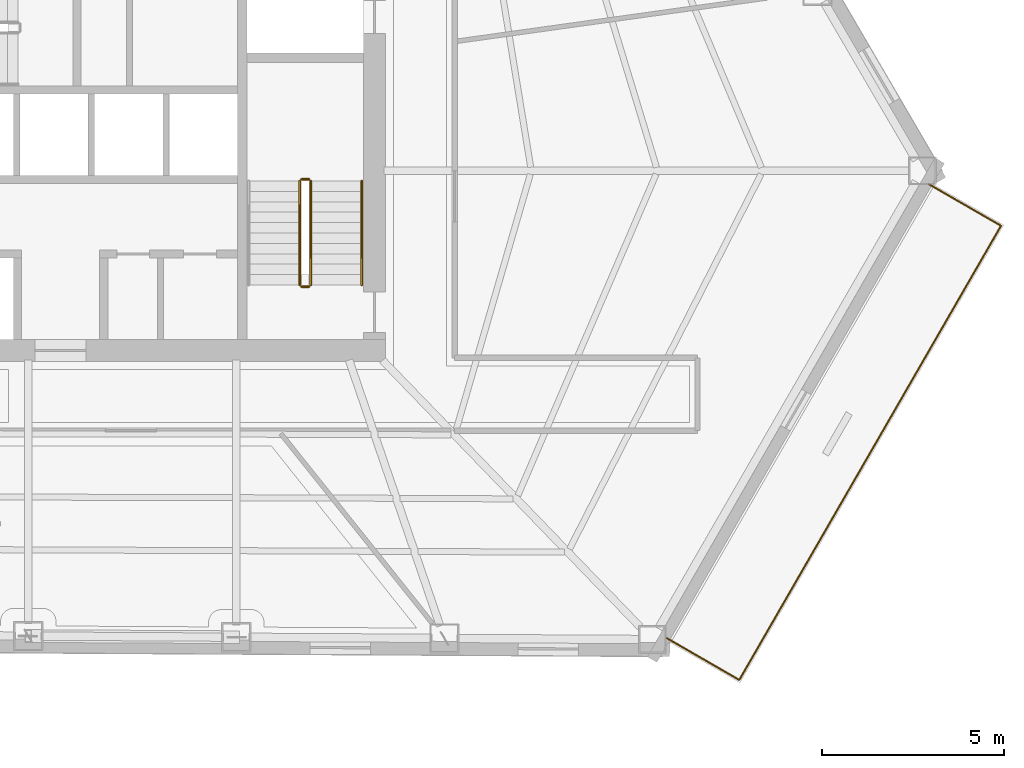
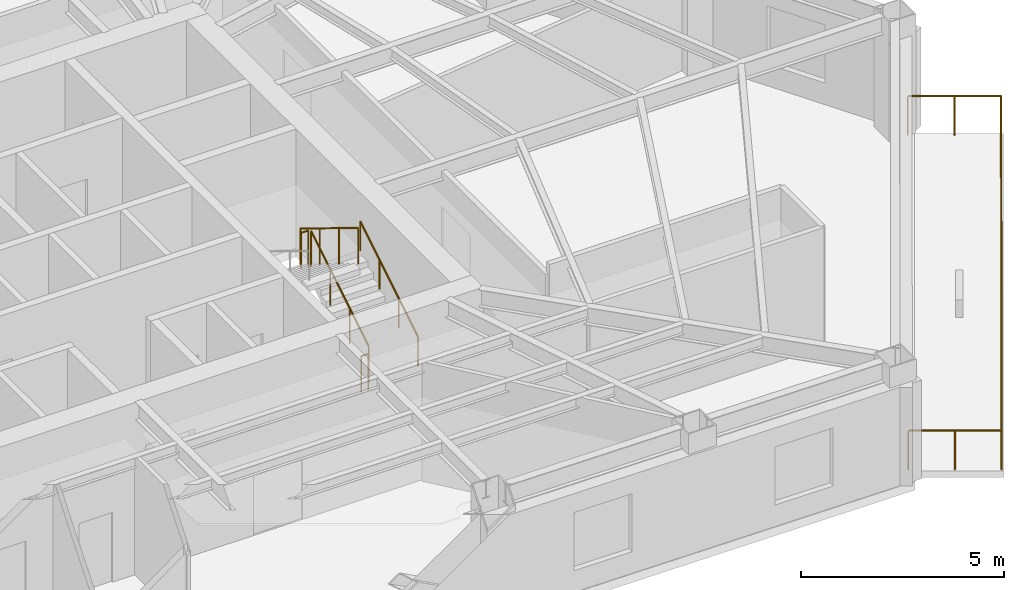
# One storey, part 15 of 16: 8 railings.
"""IFC4 building model written with IfcOpenShell, lengths in metres."""

import ifcopenshell
import ifcopenshell.guid

model = None  # the IFC model being written
_history = None  # IfcOwnerHistory: only IFC2X3 demands one
_inside = {}  # id of a spatial element -> (the spatial element, [elements in it])
_under = {}  # id of a project, library or spatial element -> (it, [spatial elements below it])
_declared = {}  # id of a project -> (the project, [libraries it declares])
_typed = {}  # id of a type object -> (the type object, [elements of that type])
_made_of = {}  # id of a material, layer set ... -> (it, [elements and type objects made of it])


def new_model(schema):
    """Start an empty IFC model of exactly this schema.

    Asked for "IFC4X3", IfcOpenShell would pick the latest addendum, in which some entities
    have other attributes; the version numbers below select the first issue.
    IFC2X3 requires an IfcOwnerHistory on every rooted entity: one is made here for all.
    """
    global model, _history
    if schema == "IFC4X3":
        model = ifcopenshell.file(schema_version=(4, 3, 0, 0))
    else:
        model = ifcopenshell.file(schema=schema)
    _inside.clear()
    _under.clear()
    _declared.clear()
    _typed.clear()
    _made_of.clear()
    _history = None
    if model.schema == "IFC2X3":
        org = make("IfcOrganization", Name="unknown")
        user = make(
            "IfcPersonAndOrganization",
            ThePerson=make("IfcPerson", FamilyName="unknown"),
            TheOrganization=org,
        )
        app = make(
            "IfcApplication",
            ApplicationDeveloper=org,
            Version="unknown",
            ApplicationFullName="unknown",
            ApplicationIdentifier="unknown",
        )
        _history = make(
            "IfcOwnerHistory",
            OwningUser=user,
            OwningApplication=app,
            ChangeAction="ADDED",
            CreationDate=0,
        )
    return model


def make(cls, **values):
    """One entity of the class cls with the attributes given. An attribute that is None is left unset."""
    return model.create_entity(
        cls, **{name: value for name, value in values.items() if value is not None}
    )


def rooted(cls, **values):
    """An entity with a GlobalId (a new one), such as an element, a storey or a relation."""
    return make(cls, GlobalId=ifcopenshell.guid.new(), OwnerHistory=_history, **values)


def si_unit(unit_type, name, prefix=None):
    """IfcSIUnit, for example si_unit("LENGTHUNIT", "METRE", prefix="MILLI")."""
    return make("IfcSIUnit", UnitType=unit_type, Prefix=prefix, Name=name)


def assignment(units):
    """IfcUnitAssignment: the units of a project."""
    return None if units is None else make("IfcUnitAssignment", Units=units)


def point(xyz):
    """IfcCartesianPoint."""
    return None if xyz is None else make("IfcCartesianPoint", Coordinates=xyz)


def direction(xyz):
    """IfcDirection."""
    return None if xyz is None else make("IfcDirection", DirectionRatios=xyz)


def frame(location, z_axis=None, x_axis=None):
    """IfcAxis2Placement3D, a coordinate frame: its origin and axes. An axis left out is left unset."""
    return make(
        "IfcAxis2Placement3D",
        Location=point(location),
        Axis=direction(z_axis),
        RefDirection=direction(x_axis),
    )


def frame_2d(location, x_axis=None):
    """IfcAxis2Placement2D, a coordinate frame in the plane: its origin and x axis."""
    return make(
        "IfcAxis2Placement2D", Location=point(location), RefDirection=direction(x_axis)
    )


def origin():
    """The frame at (0, 0, 0) with its axes left unset."""
    return frame((0.0, 0.0, 0.0))


def origin_2d():
    """The frame at (0, 0) in the plane with its x axis left unset."""
    return frame_2d((0.0, 0.0))


def place(relative_to, where):
    """IfcLocalPlacement: puts the frame where relative to a parent placement (None: the world)."""
    return make(
        "IfcLocalPlacement", PlacementRelTo=relative_to, RelativePlacement=where
    )


def context(
    kind, dimensions, precision=None, world=None, true_north=None, identifier=None
):
    """IfcGeometricRepresentationContext, for example the 3D "Model" context."""
    return make(
        "IfcGeometricRepresentationContext",
        ContextIdentifier=identifier,
        ContextType=kind,
        CoordinateSpaceDimension=dimensions,
        Precision=precision,
        WorldCoordinateSystem=world,
        TrueNorth=true_north,
    )


def subcontext(parent, identifier, kind, view, scale=None):
    """IfcGeometricRepresentationSubContext, for example "Body" below "Model"."""
    return make(
        "IfcGeometricRepresentationSubContext",
        ContextIdentifier=identifier,
        ContextType=kind,
        ParentContext=parent,
        TargetScale=scale,
        TargetView=view,
    )


def project(units=None, contexts=None):
    """IfcProject with its units and contexts."""
    return rooted(
        "IfcProject",
        Name="project",
        RepresentationContexts=contexts,
        UnitsInContext=assignment(units),
    )


def spatial(cls, under=None, at=None, **own):
    """A site, building, storey or space (cls), placed at a placement, below another one or the project."""
    s = rooted(cls, ObjectPlacement=at, **own)
    if under is not None:
        _under.setdefault(under.id(), (under, []))[1].append(s)
    return s


def profile(cls, at=None, kind="AREA", **sizes):
    """A parametric profile (cls). Its sizes go by their IFC names, for example OverallWidth=200.0."""
    return make(cls, ProfileType=kind, Position=at, **sizes)


def circle(**sizes):
    """IfcCircleProfileDef."""
    return profile("IfcCircleProfileDef", **sizes)


def extrude(swept, where, along, depth):
    """IfcExtrudedAreaSolid: the profile swept, set in the frame where, extruded along a direction by depth."""
    return make(
        "IfcExtrudedAreaSolid",
        SweptArea=swept,
        Position=where,
        ExtrudedDirection=direction(along),
        Depth=depth,
    )


def shape(context_of_items, identifier, shape_type, items):
    """IfcShapeRepresentation: the items that make up one representation, for example the "Body"."""
    return make(
        "IfcShapeRepresentation",
        ContextOfItems=context_of_items,
        RepresentationIdentifier=identifier,
        RepresentationType=shape_type,
        Items=items,
    )


def material(Name=None, Category=None):
    """IfcMaterial."""
    return make("IfcMaterial", Name=Name, Category=Category)


def made_of(thing, what):
    """Note that an element or type object is made of a material, layer set ...; save() writes the relation."""
    if what is not None:
        _made_of.setdefault(what.id(), (what, []))[1].append(thing)
    return thing


def type_object(cls, material=None, **own):
    """A type object (cls), such as IfcWallType, which elements share."""
    return made_of(rooted(cls, **own), material)


def element(
    cls,
    number,
    at=None,
    inside=None,
    cuts=None,
    type_object=None,
    material=None,
    context=None,
    identifier="Body",
    shape_type=None,
    held_by="IfcProductDefinitionShape",
    body=None,
    shapes=None,
    **own,
):
    """One element of the class cls, such as IfcWall. Its Tag is "e" and its number.

    at: its placement. inside: the storey or other place that contains it. cuts: it is an
    opening in that element (IfcRelVoidsElement). A single representation is given by context,
    identifier, shape_type and body (its items); several are given by shapes. held_by: the class
    of the entity that holds the representations. save() writes the other relations.
    """
    e = rooted(cls, Tag="e%d" % number, ObjectPlacement=at, **own)
    if body is not None:
        shapes = [shape(context, identifier, shape_type, body)]
    if shapes is not None:
        e.Representation = make(held_by, Representations=shapes)
    if inside is not None:
        _inside.setdefault(inside.id(), (inside, []))[1].append(e)
    if cuts is not None:
        rooted(
            "IfcRelVoidsElement", RelatingBuildingElement=cuts, RelatedOpeningElement=e
        )
    if type_object is not None:
        _typed.setdefault(type_object.id(), (type_object, []))[1].append(e)
    return made_of(e, material)


def aggregate(whole, parts):
    """IfcRelAggregates: a whole, such as a stair, and the parts it consists of."""
    return rooted("IfcRelAggregates", RelatingObject=whole, RelatedObjects=parts)


def save(model, path):
    """Write the relations noted so far, then the file.

    IfcRelAggregates (storeys below a building ...), IfcRelContainedInSpatialStructure (elements
    in a storey), IfcRelDefinesByType, IfcRelAssociatesMaterial and IfcRelDeclares: one each for
    every whole, place, type object, material and project.
    """
    for whole, parts in _under.values():
        aggregate(whole, parts)
    for where, things in _inside.values():
        rooted(
            "IfcRelContainedInSpatialStructure",
            RelatedElements=things,
            RelatingStructure=where,
        )
    for kind, things in _typed.values():
        rooted("IfcRelDefinesByType", RelatedObjects=things, RelatingType=kind)
    for what, things in _made_of.values():
        rooted("IfcRelAssociatesMaterial", RelatedObjects=things, RelatingMaterial=what)
    for by, libraries in _declared.values():
        rooted("IfcRelDeclares", RelatingContext=by, RelatedDefinitions=libraries)
    model.write(path)


model = new_model("IFC4")

# Units and contexts
model_context = context("Model", 3, precision=1e-05, world=origin(), true_north=direction((0.0, 1.0)))
body_context = subcontext(model_context, "Body", "Model", "MODEL_VIEW")
ifc_project = project(units=[si_unit("LENGTHUNIT", "METRE"), si_unit("AREAUNIT", "SQUARE_METRE"), si_unit("VOLUMEUNIT", "CUBIC_METRE"), si_unit("PLANEANGLEUNIT", "RADIAN"), si_unit("MASSUNIT", "GRAM", prefix="KILO")], contexts=[model_context])

# Site, building, storey
site_placement = place(None, origin())
site = spatial("IfcSite", under=ifc_project, at=site_placement, CompositionType="ELEMENT")
building_placement = place(site_placement, origin())
building = spatial("IfcBuilding", under=site, at=building_placement, Name="Kavelnor Concourse Tower", CompositionType="ELEMENT")
storey_placement = place(building_placement, frame((0.0, 0.0, 48.35009765625)))
storey = spatial("IfcBuildingStorey", under=building, at=storey_placement, Name="L12", CompositionType="ELEMENT", Elevation=48.35009765625)

# Railings
ifc_material_1 = material(Name="Steel Grade 350", Category="steel")
railing_type_1 = type_object("IfcRailingType", Name="RLG-GUARD-1100", PredefinedType="GUARDRAIL", material=ifc_material_1)
railing_1_placement = place(storey_placement, frame((46.070068359375, 11.10009765625, 0.1748046875)))
element("IfcRailing", 1, at=railing_1_placement, inside=storey, type_object=railing_type_1, Name="L12 ST2 stair guard 1", PredefinedType="GUARDRAIL", context=body_context, shape_type="SweptSolid", body=[
    extrude(circle(Radius=0.02392578125, at=origin_2d()), frame((0.0, 0.0, 1.076171875), z_axis=(0.0, 0.852159232446, 0.523282564737), x_axis=(-1.0, 0.0, 0.0)), (0.0, 0.0, 1.0), 3.34423828125),
    extrude(circle(Radius=0.02099609375, at=origin_2d()), origin(), (0.0, 0.0, 1.0), 1.052001953125),
    extrude(circle(Radius=0.02099609375, at=origin_2d()), frame((0.0, 0.949951171875, 0.583251953125)), (0.0, 0.0, 1.0), 1.052001953125),
    extrude(circle(Radius=0.02099609375, at=origin_2d()), frame((0.0, 1.89990234375, 1.166748046875)), (0.0, 0.0, 1.0), 1.052001953125),
    extrude(circle(Radius=0.02099609375, at=origin_2d()), frame((0.0, 2.849853515625, 1.75)), (0.0, 0.0, 1.0), 1.052001953125),
])
railing_2_placement = place(storey_placement, frame((46.02001953125, 14.0, 1.9248046875)))
element("IfcRailing", 2, at=railing_2_placement, inside=storey, type_object=railing_type_1, Name="L12 ST2 stair guard 2", PredefinedType="GUARDRAIL", context=body_context, shape_type="SweptSolid", body=[
    extrude(circle(Radius=0.02392578125, at=origin_2d()), frame((0.0, 0.0, 1.076171875), z_axis=(-1.0, 0.0, 0.0), x_axis=(0.0, -1.0, 0.0)), (0.0, 0.0, 1.0), 0.199951171875),
    extrude(circle(Radius=0.02099609375, at=origin_2d()), origin(), (0.0, 0.0, 1.0), 1.052001953125),
    extrude(circle(Radius=0.02099609375, at=origin_2d()), frame((-0.199951171875, 0.0, 0.0)), (0.0, 0.0, 1.0), 1.052001953125),
])
railing_3_placement = place(storey_placement, frame((45.77001953125, 13.949951171875, 2.099853515625)))
element("IfcRailing", 3, at=railing_3_placement, inside=storey, type_object=railing_type_1, Name="L12 ST2 stair guard 3", PredefinedType="GUARDRAIL", context=body_context, shape_type="SweptSolid", body=[
    extrude(circle(Radius=0.02392578125, at=origin_2d()), frame((0.0, 0.0, 1.076171875), z_axis=(0.0, -0.852159232446, 0.523282564737), x_axis=(1.0, 0.0, 0.0)), (0.0, 0.0, 1.0), 3.34423828125),
    extrude(circle(Radius=0.02099609375, at=origin_2d()), origin(), (0.0, 0.0, 1.0), 1.052001953125),
    extrude(circle(Radius=0.02099609375, at=origin_2d()), frame((0.0, -0.949951171875, 0.583251953125)), (0.0, 0.0, 1.0), 1.052001953125),
    extrude(circle(Radius=0.02099609375, at=origin_2d()), frame((0.0, -1.89990234375, 1.166748046875)), (0.0, 0.0, 1.0), 1.052001953125),
    extrude(circle(Radius=0.02099609375, at=origin_2d()), frame((0.0, -2.849853515625, 1.75)), (0.0, 0.0, 1.0), 1.052001953125),
])
railing_4_placement = place(storey_placement, frame((46.02001953125, 11.050048828125, 0.0)))
element("IfcRailing", 4, at=railing_4_placement, inside=storey, type_object=railing_type_1, Name="L12 ST2 stair guard 4", PredefinedType="GUARDRAIL", context=body_context, shape_type="SweptSolid", body=[
    extrude(circle(Radius=0.02392578125, at=origin_2d()), frame((0.0, 0.0, 1.076171875), z_axis=(-1.0, 0.0, 0.0), x_axis=(0.0, -1.0, 0.0)), (0.0, 0.0, 1.0), 0.199951171875),
    extrude(circle(Radius=0.02099609375, at=origin_2d()), origin(), (0.0, 0.0, 1.0), 1.052001953125),
    extrude(circle(Radius=0.02099609375, at=origin_2d()), frame((-0.199951171875, 0.0, 0.0)), (0.0, 0.0, 1.0), 1.052001953125),
])
railing_type_2 = type_object("IfcRailingType", Name="RLG-HANDRAIL-900", PredefinedType="HANDRAIL", material=ifc_material_1)
railing_5_placement = place(storey_placement, frame((47.469970703125, 11.10009765625, 0.1748046875)))
element("IfcRailing", 5, at=railing_5_placement, inside=storey, type_object=railing_type_2, Name="L12 ST2 stair handrail 1", PredefinedType="HANDRAIL", context=body_context, shape_type="SweptSolid", body=[
    extrude(circle(Radius=0.02392578125, at=origin_2d()), frame((0.0, 0.0, 0.8759765625), z_axis=(0.0, 0.852159232446, 0.523282564737), x_axis=(-1.0, 0.0, 0.0)), (0.0, 0.0, 1.0), 3.34423828125),
    extrude(circle(Radius=0.02099609375, at=origin_2d()), origin(), (0.0, 0.0, 1.0), 0.851806640625),
    extrude(circle(Radius=0.02099609375, at=origin_2d()), frame((0.0, 0.949951171875, 0.583251953125)), (0.0, 0.0, 1.0), 0.851806640625),
    extrude(circle(Radius=0.02099609375, at=origin_2d()), frame((0.0, 1.89990234375, 1.166748046875)), (0.0, 0.0, 1.0), 0.851806640625),
    extrude(circle(Radius=0.02099609375, at=origin_2d()), frame((0.0, 2.849853515625, 1.75)), (0.0, 0.0, 1.0), 0.851806640625),
])
ifc_material_2 = material(Name="Architectural bronze-anodised aluminium", Category="aluminium")
railing_type_3 = type_object("IfcRailingType", Name="RLG-TERRACE-1200", PredefinedType="BALUSTRADE", material=ifc_material_2)
railing_6_placement = place(storey_placement, frame((55.837646484375, 1.40869140625, 0.0)))
element("IfcRailing", 6, at=railing_6_placement, inside=storey, type_object=railing_type_3, Name="L12 Spiral Terrace Guardrail L", PredefinedType="BALUSTRADE", context=body_context, shape_type="SweptSolid", body=[
    extrude(circle(Radius=0.02392578125, at=origin_2d()), frame((0.0, 0.0, 1.17578125), z_axis=(0.86638871612, -0.499370195926, 0.0), x_axis=(0.499370195926, 0.86638871612, 0.0)), (0.0, 0.0, 1.0), 2.30029296875),
    extrude(circle(Radius=0.02099609375, at=origin_2d()), origin(), (0.0, 0.0, 1.0), 1.15185546875),
    extrude(circle(Radius=0.02099609375, at=origin_2d()), frame((0.99658203125, -0.57421875, 0.0)), (0.0, 0.0, 1.0), 1.15185546875),
    extrude(circle(Radius=0.02099609375, at=origin_2d()), frame((1.992919921875, -1.148681640625, 0.0)), (0.0, 0.0, 1.0), 1.15185546875),
])
railing_7_placement = place(storey_placement, frame((57.83056640625, 0.260009765625, 0.0)))
element("IfcRailing", 7, at=railing_7_placement, inside=storey, type_object=railing_type_3, Name="L12 Spiral Terrace Guardrail F", PredefinedType="BALUSTRADE", context=body_context, shape_type="SweptSolid", body=[
    extrude(circle(Radius=0.02392578125, at=origin_2d()), frame((0.0, 0.0, 1.17578125), z_axis=(0.499310501205, 0.866423120298, 0.0), x_axis=(-0.866423120298, 0.499310501205, 0.0)), (0.0, 0.0, 1.0), 14.384521484375),
    extrude(circle(Radius=0.02099609375, at=origin_2d()), origin(), (0.0, 0.0, 1.0), 1.15185546875),
    extrude(circle(Radius=0.02099609375, at=origin_2d()), frame((0.5986328125, 1.03857421875, 0.0)), (0.0, 0.0, 1.0), 1.15185546875),
    extrude(circle(Radius=0.02099609375, at=origin_2d()), frame((1.197021484375, 2.0771484375, 0.0)), (0.0, 0.0, 1.0), 1.15185546875),
    extrude(circle(Radius=0.02099609375, at=origin_2d()), frame((1.795654296875, 3.11572265625, 0.0)), (0.0, 0.0, 1.0), 1.15185546875),
    extrude(circle(Radius=0.02099609375, at=origin_2d()), frame((2.39404296875, 4.154296875, 0.0)), (0.0, 0.0, 1.0), 1.15185546875),
    extrude(circle(Radius=0.02099609375, at=origin_2d()), frame((2.99267578125, 5.19287109375, 0.0)), (0.0, 0.0, 1.0), 1.15185546875),
    extrude(circle(Radius=0.02099609375, at=origin_2d()), frame((3.59130859375, 6.2314453125, 0.0)), (0.0, 0.0, 1.0), 1.15185546875),
    extrude(circle(Radius=0.02099609375, at=origin_2d()), frame((4.189697265625, 7.270263671875, 0.0)), (0.0, 0.0, 1.0), 1.15185546875),
    extrude(circle(Radius=0.02099609375, at=origin_2d()), frame((4.788330078125, 8.308837890625, 0.0)), (0.0, 0.0, 1.0), 1.15185546875),
    extrude(circle(Radius=0.02099609375, at=origin_2d()), frame((5.38671875, 9.347412109375, 0.0)), (0.0, 0.0, 1.0), 1.15185546875),
    extrude(circle(Radius=0.02099609375, at=origin_2d()), frame((5.9853515625, 10.385986328125, 0.0)), (0.0, 0.0, 1.0), 1.15185546875),
    extrude(circle(Radius=0.02099609375, at=origin_2d()), frame((6.583740234375, 11.424560546875, 0.0)), (0.0, 0.0, 1.0), 1.15185546875),
    extrude(circle(Radius=0.02099609375, at=origin_2d()), frame((7.182373046875, 12.463134765625, 0.0)), (0.0, 0.0, 1.0), 1.15185546875),
])
railing_8_placement = place(storey_placement, frame((65.012939453125, 12.72314453125, 0.0)))
element("IfcRailing", 8, at=railing_8_placement, inside=storey, type_object=railing_type_3, Name="L12 Spiral Terrace Guardrail R", PredefinedType="BALUSTRADE", context=body_context, shape_type="SweptSolid", body=[
    extrude(circle(Radius=0.02392578125, at=origin_2d()), frame((0.0, 0.0, 1.17578125), z_axis=(-0.866434634522, 0.499290520739, 0.0), x_axis=(-0.499290520739, -0.866434634522, 0.0)), (0.0, 0.0, 1.0), 2.300048828125),
    extrude(circle(Radius=0.02099609375, at=origin_2d()), origin(), (0.0, 0.0, 1.0), 1.15185546875),
    extrude(circle(Radius=0.02099609375, at=origin_2d()), frame((-0.99658203125, 0.57421875, 0.0)), (0.0, 0.0, 1.0), 1.15185546875),
    extrude(circle(Radius=0.02099609375, at=origin_2d()), frame((-1.992919921875, 1.1484375, 0.0)), (0.0, 0.0, 1.0), 1.15185546875),
])

save(model, "model.ifc")
